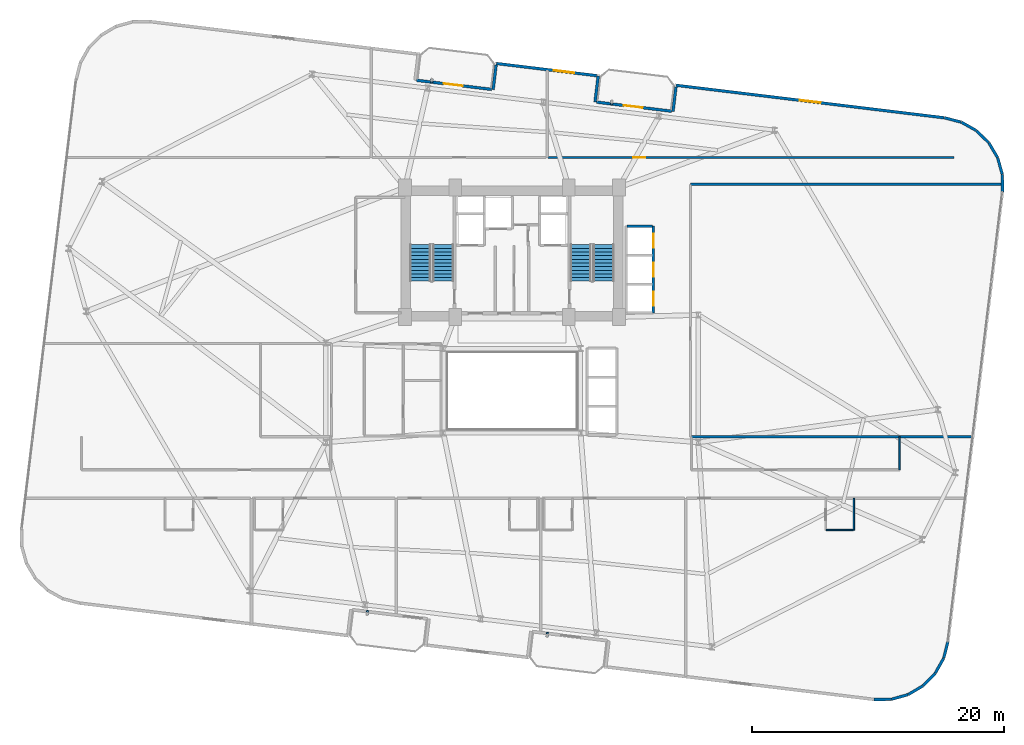
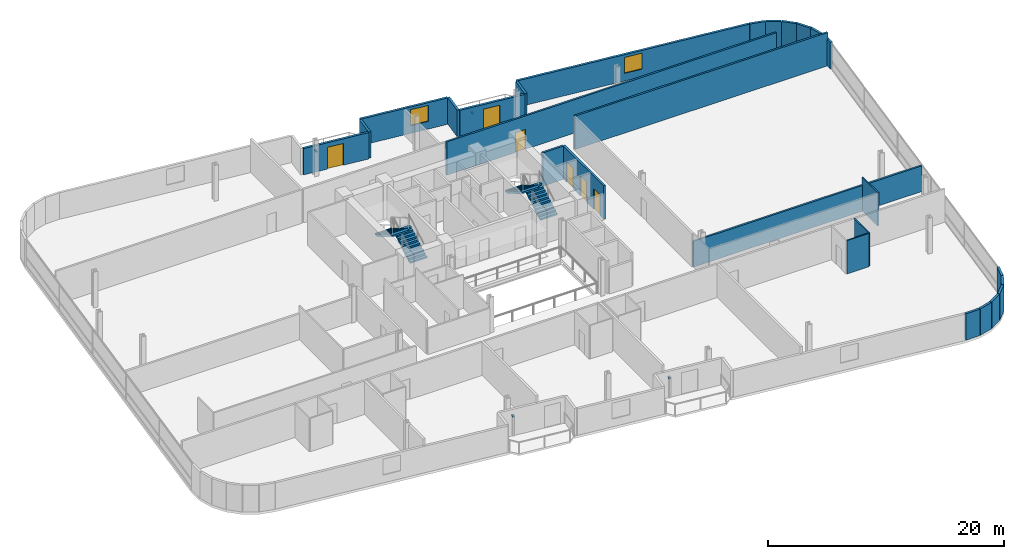
# One storey, part 23 of 25: 27 walls, 6 doors, 4 discrete accessories, 4 stair flights, 2 windows, 8 openings, 2 elements without a shape of their own.
"""IFC4 building model written with IfcOpenShell, lengths in metres."""

from ifc_helpers import new_model, si_unit, direction, frame, frame_2d, origin, origin_2d, place, context, subcontext, project, spatial, polyline, rectangle, outline, extrude, source, transform, mapped, material, layer, layer_set, type_object, element, fill, aggregate, save


model = new_model("IFC4")

# Units and contexts
model_context = context("Model", 3, precision=1e-05, world=origin(), true_north=direction((0.0, 1.0)))
body_context = subcontext(model_context, "Body", "Model", "MODEL_VIEW")
ifc_project = project(units=[si_unit("LENGTHUNIT", "METRE"), si_unit("AREAUNIT", "SQUARE_METRE"), si_unit("VOLUMEUNIT", "CUBIC_METRE"), si_unit("PLANEANGLEUNIT", "RADIAN"), si_unit("MASSUNIT", "GRAM", prefix="KILO")], contexts=[model_context])

# Site, building, storey
site_placement = place(None, origin())
site = spatial("IfcSite", under=ifc_project, at=site_placement, CompositionType="ELEMENT")
building_placement = place(site_placement, origin())
building = spatial("IfcBuilding", under=site, at=building_placement, Name="Varnelok Gate Tower", CompositionType="ELEMENT")
storey_placement = place(building_placement, frame((0.0, 0.0, 132.800048828125)))
storey = spatial("IfcBuildingStorey", under=building, at=storey_placement, Name="L33", CompositionType="ELEMENT", Elevation=132.800048828125)

# Wall, opening, door
ifc_material_1 = material(Name="Concrete C45/55", Category="concrete")
ifc_layer_1 = layer(ifc_material_1, 0.219970703125)
ifc_layer_set_1 = layer_set([ifc_layer_1], Name="Concrete C45/55")
wall_type_1 = type_object("IfcWallType", Name="EW-BALC-220", PredefinedType="SOLIDWALL", material=ifc_layer_set_1)
wall_1_placement = place(storey_placement, frame((31.624267578125, 47.5634765625, 0.0), z_axis=(0.0, 0.0, 1.0), x_axis=(0.992729951822, -0.120362962556, 0.0)))
wall_1 = element("IfcWall", 1, at=wall_1_placement, inside=storey, type_object=wall_type_1, Name="L33 North Terrace Envelope Wall 3", PredefinedType="SOLIDWALL", context=body_context, shape_type="SweptSolid", body=[
    extrude(rectangle(XDim=6.0, YDim=0.219970703125, at=frame_2d((3.0, 0.0))), origin(), (0.0, 0.0, 1.0), 2.72998046875),
])
opening_1_placement = place(wall_1_placement, frame((2.176025390625, 0.0, 0.0)))
opening_1 = element("IfcOpeningElement", 2, at=opening_1_placement, cuts=wall_1, Name="Opening BD-1", PredefinedType="OPENING", context=body_context, shape_type="SweptSolid", body=[
    extrude(rectangle(XDim=1.5, YDim=2.25, at=frame_2d((0.75, 1.125))), frame((0.0, 0.119873046875, 0.0), z_axis=(0.0, -1.0, 0.0), x_axis=(1.0, 0.0, 0.0)), (0.0, 0.0, 1.0), 0.239990234375),
])
ifc_material_2 = material(Name="Anodized Aluminum Alloy 6063-T6", Category="aluminium")
door_type_1 = type_object("IfcDoorType", Name="DR-EXT-BALC1500", OperationType="NOTDEFINED", PredefinedType="DOOR", material=ifc_material_2)
door_1_placement = place(opening_1_placement, origin())
door_1 = element("IfcDoor", 3, at=door_1_placement, inside=storey, type_object=door_type_1, Name="L33 North Balcony Glazed Door 3", OperationType="SINGLE_SWING_RIGHT", OverallHeight=2.25, OverallWidth=1.5, PredefinedType="DOOR", context=body_context, shape_type="SweptSolid", body=[
    extrude(rectangle(XDim=1.5, YDim=2.25, at=frame_2d((0.75, 1.125))), frame((0.0, 0.02490234375, 0.0), z_axis=(0.0, -1.0, 0.0), x_axis=(1.0, 0.0, 0.0)), (0.0, 0.0, 1.0), 0.050048828125),
])
fill(opening_1, door_1)

wall_2_placement = place(storey_placement, frame((45.919677734375, 45.83056640625, 0.0), z_axis=(0.0, 0.0, 1.0), x_axis=(0.992729951822, -0.120362962556, 0.0)))
wall_2 = element("IfcWall", 4, at=wall_2_placement, inside=storey, type_object=wall_type_1, Name="L33 North Terrace Envelope Wall 4", PredefinedType="SOLIDWALL", context=body_context, shape_type="SweptSolid", body=[
    extrude(rectangle(XDim=6.0, YDim=0.219970703125, at=frame_2d((3.0, 0.0))), origin(), (0.0, 0.0, 1.0), 2.72998046875),
])
opening_2_placement = place(wall_2_placement, frame((2.176025390625, 0.0, 0.0)))
opening_2 = element("IfcOpeningElement", 5, at=opening_2_placement, cuts=wall_2, Name="Opening BD-1", PredefinedType="OPENING", context=body_context, shape_type="SweptSolid", body=[
    extrude(rectangle(XDim=1.5, YDim=2.25, at=frame_2d((0.75, 1.125))), frame((0.0, 0.119873046875, 0.0), z_axis=(0.0, -1.0, 0.0), x_axis=(1.0, 0.0, 0.0)), (0.0, 0.0, 1.0), 0.239990234375),
])
door_2_placement = place(opening_2_placement, origin())
door_2 = element("IfcDoor", 6, at=door_2_placement, inside=storey, type_object=door_type_1, Name="L33 North Balcony Glazed Door 4", OperationType="SINGLE_SWING_LEFT", OverallHeight=2.25, OverallWidth=1.5, PredefinedType="DOOR", context=body_context, shape_type="SweptSolid", body=[
    extrude(rectangle(XDim=1.5, YDim=2.25, at=frame_2d((0.75, 1.125))), frame((0.0, 0.02490234375, 0.0), z_axis=(0.0, -1.0, 0.0), x_axis=(1.0, 0.0, 0.0)), (0.0, 0.0, 1.0), 0.050048828125),
])
fill(opening_2, door_2)

# Walls
wall_3_placement = place(storey_placement, frame((67.984375, -1.63671875, 0.0), z_axis=(0.0, 0.0, 1.0), x_axis=(0.999945887077, 0.010403024475, 0.0)))
element("IfcWall", 7, at=wall_3_placement, inside=storey, type_object=wall_type_1, Name="L33 Perimeter Facade Closure Wall 14", PredefinedType="SOLIDWALL", context=body_context, shape_type="SweptSolid", body=[
    extrude(rectangle(XDim=1.361083984375, YDim=0.219970703125, at=frame_2d((0.6806640625, 0.0))), origin(), (0.0, 0.0, 1.0), 2.72998046875),
])
wall_4_placement = place(storey_placement, frame((69.369384765625, -1.615966796875, 0.0), z_axis=(0.0, 0.0, 1.0), x_axis=(0.963194128812, 0.268806752562, 0.0)))
element("IfcWall", 8, at=wall_4_placement, inside=storey, type_object=wall_type_1, Name="L33 Perimeter Facade Closure Wall 15", PredefinedType="SOLIDWALL", context=body_context, shape_type="SweptSolid", body=[
    extrude(rectangle(XDim=1.353271484375, YDim=0.219970703125, at=frame_2d((0.6767578125, 0.0))), origin(), (0.0, 0.0, 1.0), 2.72998046875),
])
for number, where, z_axis, x_axis, name in (
    (9, (70.6943359375, -1.239501953125, 0.0), (0.0, 0.0, 1.0), (0.860865455241, 0.508832652228, 0.0), "L33 Perimeter Facade Closure Wall 16"),
    (10, (71.876708984375, -0.533203125, 0.0), (0.0, 0.0, 1.0), (0.69976104234, 0.714376989847, 0.0), "L33 Perimeter Facade Closure Wall 17"),
    (11, (72.835693359375, 0.455078125, 0.0), (0.0, 0.0, 1.0), (0.491117621399, 0.871093268227, 0.0), "L33 Perimeter Facade Closure Wall 18"),
):
    element("IfcWall", number, at=place(storey_placement, frame(where, z_axis=z_axis, x_axis=x_axis)), inside=storey, type_object=wall_type_1, Name=name, PredefinedType="SOLIDWALL", context=body_context, shape_type="SweptSolid", body=[
        extrude(rectangle(XDim=1.35302734375, YDim=0.219970703125, at=frame_2d((0.676513671875, 0.0))), origin(), (0.0, 0.0, 1.0), 2.72998046875),
    ])
wall_5_placement = place(storey_placement, frame((73.506591796875, 1.658203125, 0.0), z_axis=(0.0, 0.0, 1.0), x_axis=(0.248857256909, 0.968540172468, 0.0)))
element("IfcWall", 12, at=wall_5_placement, inside=storey, type_object=wall_type_1, Name="L33 Perimeter Facade Closure Wall 19", PredefinedType="SOLIDWALL", context=body_context, shape_type="SweptSolid", body=[
    extrude(rectangle(XDim=1.352783203125, YDim=0.219970703125, at=frame_2d((0.67626953125, 0.0))), origin(), (0.0, 0.0, 1.0), 2.72998046875),
])
wall_6_placement = place(storey_placement, frame((78.175537109375, 38.706787109375, 0.0), z_axis=(0.0, 0.0, 1.0), x_axis=(-0.010096916637, 0.999949024838, 0.0)))
element("IfcWall", 13, at=wall_6_placement, inside=storey, type_object=wall_type_1, Name="L33 Perimeter Facade Closure Wall 20", PredefinedType="SOLIDWALL", context=body_context, shape_type="SweptSolid", body=[
    extrude(rectangle(XDim=1.378173828125, YDim=0.219970703125, at=frame_2d((0.68896484375, 0.0))), origin(), (0.0, 0.0, 1.0), 2.72998046875),
])
wall_7_placement = place(storey_placement, frame((78.15478515625, 40.10888671875, 0.0), z_axis=(0.0, 0.0, 1.0), x_axis=(-0.268639368869, 0.963240826322, 0.0)))
element("IfcWall", 14, at=wall_7_placement, inside=storey, type_object=wall_type_1, Name="L33 Perimeter Facade Closure Wall 21", PredefinedType="SOLIDWALL", context=body_context, shape_type="SweptSolid", body=[
    extrude(rectangle(XDim=1.353271484375, YDim=0.219970703125, at=frame_2d((0.6767578125, 0.0))), origin(), (0.0, 0.0, 1.0), 2.72998046875),
])
for number, where, z_axis, x_axis, name in (
    (15, (77.7783203125, 41.433837890625, 0.0), (0.0, 0.0, 1.0), (-0.508698913794, 0.860944490142, 0.0), "L33 Perimeter Facade Closure Wall 22"),
    (16, (77.072265625, 42.6162109375, 0.0), (0.0, 0.0, 1.0), (-0.714376989847, 0.69976104234, 0.0), "L33 Perimeter Facade Closure Wall 23"),
    (17, (76.083740234375, 43.5751953125, 0.0), (0.0, 0.0, 1.0), (-0.871093268227, 0.491117621399, 0.0), "L33 Perimeter Facade Closure Wall 24"),
):
    element("IfcWall", number, at=place(storey_placement, frame(where, z_axis=z_axis, x_axis=x_axis)), inside=storey, type_object=wall_type_1, Name=name, PredefinedType="SOLIDWALL", context=body_context, shape_type="SweptSolid", body=[
        extrude(rectangle(XDim=1.35302734375, YDim=0.219970703125, at=frame_2d((0.676513671875, 0.0))), origin(), (0.0, 0.0, 1.0), 2.72998046875),
    ])
wall_8_placement = place(storey_placement, frame((74.880859375, 44.24609375, 0.0), z_axis=(0.0, 0.0, 1.0), x_axis=(-0.968549775063, 0.248819881091, 0.0)))
element("IfcWall", 18, at=wall_8_placement, inside=storey, type_object=wall_type_1, Name="L33 Perimeter Facade Closure Wall 25", PredefinedType="SOLIDWALL", context=body_context, shape_type="SweptSolid", body=[
    extrude(rectangle(XDim=1.36083984375, YDim=0.219970703125, at=frame_2d((0.680419921875, 0.0))), origin(), (0.0, 0.0, 1.0), 2.72998046875),
])

# Wall, opening, window
wall_9_placement = place(storey_placement, frame((73.537841796875, 44.587890625, 0.0), z_axis=(0.0, 0.0, 1.0), x_axis=(-0.992733493583, 0.120333747213, 0.0)))
wall_9 = element("IfcWall", 19, at=wall_9_placement, inside=storey, type_object=wall_type_1, Name="L33 Perimeter Facade Closure Wall 26", PredefinedType="SOLIDWALL", context=body_context, shape_type="SweptSolid", body=[
    extrude(rectangle(XDim=21.447021484375, YDim=0.219970703125, at=frame_2d((10.7236328125, 0.0))), origin(), (0.0, 0.0, 1.0), 2.72998046875),
])
opening_3_placement = place(wall_9_placement, frame((9.898681640625, 0.0, 0.800048828125)))
opening_3 = element("IfcOpeningElement", 20, at=opening_3_placement, cuts=wall_9, Name="Opening WN3", PredefinedType="OPENING", context=body_context, shape_type="SweptSolid", body=[
    extrude(rectangle(XDim=1.64990234375, YDim=1.64990234375, at=frame_2d((0.824951171875, 0.824951171875))), frame((0.0, 0.119873046875, 0.0), z_axis=(0.0, -1.0, 0.0), x_axis=(1.0, 0.0, 0.0)), (0.0, 0.0, 1.0), 0.239990234375),
])
ifc_material_3 = material(Name="Low-E Laminated Double Glazing IGU", Category="glass")
window_type = type_object("IfcWindowType", Name="WN-HTL-1650", PartitioningType="SINGLE_PANEL", PredefinedType="WINDOW", material=ifc_material_3)
window_1_placement = place(opening_3_placement, origin())
window_1 = element("IfcWindow", 21, at=window_1_placement, inside=storey, type_object=window_type, Name="L33 Perimeter Vision Window 26", OverallHeight=1.64990234375, OverallWidth=1.64990234375, PartitioningType="SINGLE_PANEL", PredefinedType="WINDOW", context=body_context, shape_type="SweptSolid", body=[
    extrude(rectangle(XDim=1.64990234375, YDim=1.64990234375, at=frame_2d((0.824951171875, 0.824951171875))), frame((0.0, 0.030029296875, 0.0), z_axis=(0.0, -1.0, 0.0), x_axis=(1.0, 0.0, 0.0)), (0.0, 0.0, 1.0), 0.06005859375),
])
fill(opening_3, window_1)

# Walls
wall_10_placement = place(storey_placement, frame((52.2314453125, 47.044677734375, 0.0), z_axis=(0.0, 0.0, 1.0), x_axis=(-0.120275992932, -0.992740492538, 0.0)))
element("IfcWall", 22, at=wall_10_placement, inside=storey, type_object=wall_type_1, Name="L33 Perimeter Facade Closure Wall 27", PredefinedType="SOLIDWALL", context=body_context, shape_type="SweptSolid", body=[
    extrude(rectangle(XDim=1.97509765625, YDim=0.219970703125, at=frame_2d((0.987548828125, 0.0))), origin(), (0.0, 0.0, 1.0), 2.72998046875),
])
wall_11_placement = place(storey_placement, frame((45.79931640625, 45.8349609375, 0.0), z_axis=(0.0, 0.0, 1.0), x_axis=(0.120314009587, 0.992735885871, 0.0)))
element("IfcWall", 23, at=wall_11_placement, inside=storey, type_object=wall_type_1, Name="L33 Perimeter Facade Closure Wall 28", PredefinedType="SOLIDWALL", context=body_context, shape_type="SweptSolid", body=[
    extrude(rectangle(XDim=2.10009765625, YDim=0.219970703125, at=frame_2d((1.050048828125, 0.0))), origin(), (0.0, 0.0, 1.0), 2.72998046875),
])

# Wall, opening, window
wall_12_placement = place(storey_placement, frame((45.927734375, 47.934814453125, 0.0), z_axis=(0.0, 0.0, 1.0), x_axis=(-0.992730591876, 0.120357683402, 0.0)))
wall_12 = element("IfcWall", 24, at=wall_12_placement, inside=storey, type_object=wall_type_1, Name="L33 Perimeter Facade Closure Wall 29", PredefinedType="SOLIDWALL", context=body_context, shape_type="SweptSolid", body=[
    extrude(rectangle(XDim=8.03466796875, YDim=0.219970703125, at=frame_2d((4.017333984375, 0.0))), origin(), (0.0, 0.0, 1.0), 2.72998046875),
])
opening_4_placement = place(wall_12_placement, frame((1.787841796875, 0.0, 0.800048828125)))
opening_4 = element("IfcOpeningElement", 25, at=opening_4_placement, cuts=wall_12, Name="Opening WN3", PredefinedType="OPENING", context=body_context, shape_type="SweptSolid", body=[
    extrude(rectangle(XDim=1.64990234375, YDim=1.64990234375, at=frame_2d((0.824951171875, 0.824951171875))), frame((0.0, 0.119873046875, 0.0), z_axis=(0.0, -1.0, 0.0), x_axis=(1.0, 0.0, 0.0)), (0.0, 0.0, 1.0), 0.239990234375),
])
window_2_placement = place(opening_4_placement, origin())
window_2 = element("IfcWindow", 26, at=window_2_placement, inside=storey, type_object=window_type, Name="L33 Perimeter Vision Window 29", OverallHeight=1.64990234375, OverallWidth=1.64990234375, PartitioningType="SINGLE_PANEL", PredefinedType="WINDOW", context=body_context, shape_type="SweptSolid", body=[
    extrude(rectangle(XDim=1.64990234375, YDim=1.64990234375, at=frame_2d((0.824951171875, 0.824951171875))), frame((0.0, 0.030029296875, 0.0), z_axis=(0.0, -1.0, 0.0), x_axis=(1.0, 0.0, 0.0)), (0.0, 0.0, 1.0), 0.06005859375),
])
fill(opening_4, window_2)

# Wall
wall_13_placement = place(storey_placement, frame((37.936279296875, 48.777587890625, 0.0), z_axis=(0.0, 0.0, 1.0), x_axis=(-0.120397815541, -0.992725725472, 0.0)))
element("IfcWall", 27, at=wall_13_placement, inside=storey, type_object=wall_type_1, Name="L33 Perimeter Facade Closure Wall 30", PredefinedType="SOLIDWALL", context=body_context, shape_type="SweptSolid", body=[
    extrude(rectangle(XDim=1.97509765625, YDim=0.219970703125, at=frame_2d((0.987548828125, 0.0))), origin(), (0.0, 0.0, 1.0), 2.72998046875),
])

# Wall, opening, door
ifc_material_4 = material(Name="Gypsum Plasterboard Acoustic Partition", Category="gypsum")
ifc_layer_2 = layer(ifc_material_4, 0.179931640625)
ifc_layer_set_2 = layer_set([ifc_layer_2], Name="Gypsum Plasterboard Acoustic Partition")
wall_type_2 = type_object("IfcWallType", Name="PW-CORR-180", PredefinedType="PARTITIONING", material=ifc_layer_set_2)
wall_14_placement = place(storey_placement, frame((42.080078125, 41.429931640625, 0.0), z_axis=(0.0, 0.0, 1.0), x_axis=(1.0, 0.0, 0.0)))
wall_14 = element("IfcWall", 28, at=wall_14_placement, inside=storey, type_object=wall_type_2, Name="Interior Partition", PredefinedType="PARTITIONING", context=body_context, shape_type="SweptSolid", body=[
    extrude(rectangle(XDim=32.239990234375, YDim=0.179931640625, at=frame_2d((16.1201171875, 0.0))), origin(), (0.0, 0.0, 1.0), 3.449951171875),
])
opening_5_placement = place(wall_14_placement, frame((6.7451171875, 0.0, 0.0)))
opening_5 = element("IfcOpeningElement", 29, at=opening_5_placement, cuts=wall_14, Name="Opening D-I2", PredefinedType="OPENING", context=body_context, shape_type="SweptSolid", body=[
    extrude(rectangle(XDim=0.949951171875, YDim=2.050048828125, at=frame_2d((0.47509765625, 1.02490234375))), frame((0.0, 0.099853515625, 0.0), z_axis=(0.0, -1.0, 0.0), x_axis=(1.0, 0.0, 0.0)), (0.0, 0.0, 1.0), 0.199951171875),
])
ifc_material_5 = material(Name="Engineered Hardwood Timber", Category="wood")
door_type_2 = type_object("IfcDoorType", Name="DR-INT-950", OperationType="NOTDEFINED", PredefinedType="DOOR", material=ifc_material_5)
door_3_placement = place(opening_5_placement, origin())
door_3 = element("IfcDoor", 30, at=door_3_placement, inside=storey, type_object=door_type_2, Name="L33 Hotel Business Center Door", OperationType="SINGLE_SWING_LEFT", OverallHeight=2.050048828125, OverallWidth=0.949951171875, PredefinedType="DOOR", context=body_context, shape_type="SweptSolid", body=[
    extrude(rectangle(XDim=0.949951171875, YDim=2.050048828125, at=frame_2d((0.47509765625, 1.02490234375))), frame((0.0, 0.02490234375, 0.0), z_axis=(0.0, -1.0, 0.0), x_axis=(1.0, 0.0, 0.0)), (0.0, 0.0, 1.0), 0.050048828125),
])
fill(opening_5, door_3)

# Walls
wall_15_placement = place(storey_placement, frame((53.389892578125, 19.239990234375, 0.0), z_axis=(0.0, 0.0, 1.0), x_axis=(1.0, 0.0, 0.0)))
element("IfcWall", 31, at=wall_15_placement, inside=storey, type_object=wall_type_2, Name="Interior Partition", PredefinedType="PARTITIONING", context=body_context, shape_type="SweptSolid", body=[
    extrude(rectangle(XDim=22.36669921875, YDim=0.179931640625, at=frame_2d((11.183349609375, 0.0))), origin(), (0.0, 0.0, 1.0), 2.661865234375),
])
wall_16_placement = place(storey_placement, frame((53.389892578125, 39.300048828125, 0.0), z_axis=(0.0, 0.0, 1.0), x_axis=(1.0, 0.0, 0.0)))
element("IfcWall", 32, at=wall_16_placement, inside=storey, type_object=wall_type_2, Name="Interior Partition", PredefinedType="PARTITIONING", context=body_context, shape_type="SweptSolid", body=[
    extrude(rectangle(XDim=24.73974609375, YDim=0.179931640625, at=frame_2d((12.369873046875, 0.0))), origin(), (0.0, 0.0, 1.0), 3.449951171875),
])
ifc_layer_3 = layer(ifc_material_4, 0.114990234375)
ifc_layer_set_3 = layer_set([ifc_layer_3], Name="Gypsum Plasterboard Acoustic Partition")
wall_type_3 = type_object("IfcWallType", Name="PW-ENS-125", PredefinedType="PARTITIONING", material=ifc_layer_set_3)
wall_17_placement = place(storey_placement, frame((64.169921875, 11.830078125, 0.0), z_axis=(0.0, 0.0, 1.0), x_axis=(1.0, 0.0, 0.0)))
element("IfcWall", 33, at=wall_17_placement, inside=storey, type_object=wall_type_3, Name="Interior Partition", PredefinedType="PARTITIONING", context=body_context, shape_type="SweptSolid", body=[
    extrude(rectangle(XDim=2.150146484375, YDim=0.114990234375, at=frame_2d((1.0751953125, 0.0))), origin(), (0.0, 0.0, 1.0), 3.449951171875),
])
wall_18_placement = place(storey_placement, frame((66.360107421875, 11.830078125, 0.0), z_axis=(0.0, 0.0, 1.0), x_axis=(0.0, 1.0, 0.0)))
element("IfcWall", 34, at=wall_18_placement, inside=storey, type_object=wall_type_3, Name="Interior Partition", PredefinedType="PARTITIONING", context=body_context, shape_type="SweptSolid", body=[
    extrude(rectangle(XDim=2.52001953125, YDim=0.114990234375, at=frame_2d((1.260009765625, 0.0))), origin(), (0.0, 0.0, 1.0), 3.449951171875),
])
ifc_layer_4 = layer(ifc_material_4, 0.125)
ifc_layer_set_4 = layer_set([ifc_layer_4], Name="Gypsum Plasterboard Acoustic Partition")
wall_type_4 = type_object("IfcWallType", Name="PW-PART-125", PredefinedType="PARTITIONING", material=ifc_layer_set_4)
wall_19_placement = place(storey_placement, frame((70.0, 16.610107421875, 0.0), z_axis=(0.0, 0.0, 1.0), x_axis=(0.0, 1.0, 0.0)))
element("IfcWall", 35, at=wall_19_placement, inside=storey, type_object=wall_type_4, Name="Interior Partition", PredefinedType="PARTITIONING", context=body_context, shape_type="SweptSolid", body=[
    extrude(rectangle(XDim=2.6298828125, YDim=0.125, at=frame_2d((1.31494140625, 0.0))), origin(), (0.0, 0.0, 1.0), 3.449951171875),
])
ifc_material_6 = material(Name="Concrete C35/45", Category="concrete")
ifc_layer_5 = layer(ifc_material_6, 0.199951171875)
ifc_layer_set_5 = layer_set([ifc_layer_5], Name="Concrete C35/45")
wall_type_5 = type_object("IfcWallType", Name="PW-SHAFT-200", PredefinedType="PARTITIONING", material=ifc_layer_set_5)
wall_20_placement = place(storey_placement, frame((48.320068359375, 35.969970703125, 0.0), z_axis=(0.0, 0.0, 1.0), x_axis=(1.0, 0.0, 0.0)))
element("IfcWall", 36, at=wall_20_placement, inside=storey, type_object=wall_type_5, Name="L33 PM Bank North Wall", PredefinedType="PARTITIONING", context=body_context, shape_type="SweptSolid", body=[
    extrude(rectangle(XDim=2.059814453125, YDim=0.199951171875, at=frame_2d((1.02978515625, 0.0))), origin(), (0.0, 0.0, 1.0), 3.449951171875),
])

# Wall, openings, doors
wall_21_placement = place(storey_placement, frame((50.43994140625, 29.080078125, 0.0), z_axis=(0.0, 0.0, 1.0), x_axis=(0.0, 1.0, 0.0)))
wall_21 = element("IfcWall", 37, at=wall_21_placement, inside=storey, type_object=wall_type_5, Name="L33 PM Bank Front Wall", PredefinedType="PARTITIONING", context=body_context, shape_type="SweptSolid", body=[
    extrude(rectangle(XDim=6.889892578125, YDim=0.199951171875, at=frame_2d((3.44482421875, 0.0))), origin(), (0.0, 0.0, 1.0), 3.449951171875),
])
opening_6_placement = place(wall_21_placement, frame((0.590087890625, 0.0, 0.0)))
opening_6 = element("IfcOpeningElement", 38, at=opening_6_placement, cuts=wall_21, Name="Opening LD-PM1", PredefinedType="OPENING", context=body_context, shape_type="SweptSolid", body=[
    extrude(rectangle(XDim=1.10009765625, YDim=2.14990234375, at=frame_2d((0.550048828125, 1.074951171875))), frame((0.0, 0.10986328125, 0.0), z_axis=(0.0, -1.0, 0.0), x_axis=(1.0, 0.0, 0.0)), (0.0, 0.0, 1.0), 0.219970703125),
])
opening_7_placement = place(wall_21_placement, frame((2.889892578125, 0.0, 0.0)))
opening_7 = element("IfcOpeningElement", 39, at=opening_7_placement, cuts=wall_21, Name="Opening LD-PM2", PredefinedType="OPENING", context=body_context, shape_type="SweptSolid", body=[
    extrude(rectangle(XDim=1.10009765625, YDim=2.14990234375, at=frame_2d((0.550048828125, 1.074951171875))), frame((0.0, 0.10986328125, 0.0), z_axis=(0.0, -1.0, 0.0), x_axis=(1.0, 0.0, 0.0)), (0.0, 0.0, 1.0), 0.219970703125),
])
opening_8_placement = place(wall_21_placement, frame((5.18994140625, 0.0, 0.0)))
opening_8 = element("IfcOpeningElement", 40, at=opening_8_placement, cuts=wall_21, Name="Opening LD-PM3", PredefinedType="OPENING", context=body_context, shape_type="SweptSolid", body=[
    extrude(rectangle(XDim=1.10009765625, YDim=2.14990234375, at=frame_2d((0.550048828125, 1.074951171875))), frame((0.0, 0.10986328125, 0.0), z_axis=(0.0, -1.0, 0.0), x_axis=(1.0, 0.0, 0.0)), (0.0, 0.0, 1.0), 0.219970703125),
])
ifc_material_7 = material(Name="Galvanized Steel Grade S350GD", Category="steel")
door_type_3 = type_object("IfcDoorType", Name="DR-LIFT-PAX1100", OperationType="SLIDING_TO_LEFT", PredefinedType="DOOR", material=ifc_material_7)
door_4_placement = place(opening_6_placement, origin())
door_4 = element("IfcDoor", 41, at=door_4_placement, inside=storey, type_object=door_type_3, Name="L33 Passenger Lift Landing Door LD-PM1", OperationType="SLIDING_TO_LEFT", OverallHeight=2.14990234375, OverallWidth=1.10009765625, PredefinedType="DOOR", context=body_context, shape_type="SweptSolid", body=[
    extrude(rectangle(XDim=1.10009765625, YDim=2.14990234375, at=frame_2d((0.550048828125, 1.074951171875))), frame((0.0, 0.02490234375, 0.0), z_axis=(0.0, -1.0, 0.0), x_axis=(1.0, 0.0, 0.0)), (0.0, 0.0, 1.0), 0.050048828125),
])
fill(opening_6, door_4)
door_5_placement = place(opening_7_placement, origin())
door_5 = element("IfcDoor", 42, at=door_5_placement, inside=storey, type_object=door_type_3, Name="L33 Passenger Lift Landing Door LD-PM2", OperationType="SLIDING_TO_LEFT", OverallHeight=2.14990234375, OverallWidth=1.10009765625, PredefinedType="DOOR", context=body_context, shape_type="SweptSolid", body=[
    extrude(rectangle(XDim=1.10009765625, YDim=2.14990234375, at=frame_2d((0.550048828125, 1.074951171875))), frame((0.0, 0.02490234375, 0.0), z_axis=(0.0, -1.0, 0.0), x_axis=(1.0, 0.0, 0.0)), (0.0, 0.0, 1.0), 0.050048828125),
])
fill(opening_7, door_5)
door_6_placement = place(opening_8_placement, origin())
door_6 = element("IfcDoor", 43, at=door_6_placement, inside=storey, type_object=door_type_3, Name="L33 Passenger Lift Landing Door LD-PM3", OperationType="SLIDING_TO_LEFT", OverallHeight=2.14990234375, OverallWidth=1.10009765625, PredefinedType="DOOR", context=body_context, shape_type="SweptSolid", body=[
    extrude(rectangle(XDim=1.10009765625, YDim=2.14990234375, at=frame_2d((0.550048828125, 1.074951171875))), frame((0.0, 0.02490234375, 0.0), z_axis=(0.0, -1.0, 0.0), x_axis=(1.0, 0.0, 0.0)), (0.0, 0.0, 1.0), 0.050048828125),
])
fill(opening_8, door_6)

# Stair, stair flights
ifc_material_8 = material(Name="Concrete C50/60", Category="concrete")
stair_type = type_object("IfcStairType", Name="STR-CORE-1650", PredefinedType="HALF_TURN_STAIR", material=ifc_material_8)
stair_1_placement = place(storey_placement, origin())
stair_1 = element("IfcStair", 44, at=stair_1_placement, inside=storey, type_object=stair_type, Name="L33 Exit Stair ST-1", PredefinedType="HALF_TURN_STAIR")
stair_flight_type = type_object("IfcStairFlightType", Name="SFL-CORE-1650", PredefinedType="STRAIGHT", material=ifc_material_8)
stair_flight_1_placement = place(storey_placement, frame((33.72509765625, 31.60009765625, 0.0), z_axis=(0.0, 0.0, 1.0), x_axis=(0.0, 1.0, 0.0)))
stair_flight_1 = element("IfcStairFlight", 45, at=stair_flight_1_placement, type_object=stair_flight_type, Name="ST-1 flight 1", NumberOfRisers=11, NumberOfTreads=10, PredefinedType="STRAIGHT", RiserHeight=0.168181818, TreadLength=0.29, context=body_context, shape_type="SweptSolid", body=[
    extrude(outline(polyline([(0.0, 0.0), (0.0, 0.168212890625), (0.2900390625, 0.168212890625), (0.2900390625, 0.33642578125), (0.580078125, 0.33642578125), (0.580078125, 0.504638671875), (0.8701171875, 0.504638671875), (0.8701171875, 0.672607421875), (1.159912109375, 0.672607421875), (1.159912109375, 0.8408203125), (1.449951171875, 0.8408203125), (1.449951171875, 1.009033203125), (1.739990234375, 1.009033203125), (1.739990234375, 1.17724609375), (2.030029296875, 1.17724609375), (2.030029296875, 1.345458984375), (2.320068359375, 1.345458984375), (2.320068359375, 1.513671875), (2.610107421875, 1.513671875), (2.610107421875, 1.681884765625), (2.89990234375, 1.681884765625), (2.89990234375, 1.85009765625), (2.89990234375, 1.508544921875), (0.298828125, 0.0), (0.0, 0.0)])), frame((0.0, 0.824951171875, 0.0), z_axis=(0.0, -1.0, 0.0), x_axis=(1.0, 0.0, 0.0)), (0.0, 0.0, 1.0), 1.64990234375),
])
stair_flight_2_placement = place(storey_placement, frame((31.925048828125, 34.5, 1.849853515625), z_axis=(0.0, 0.0, 1.0), x_axis=(0.0, -1.0, 0.0)))
stair_flight_2 = element("IfcStairFlight", 46, at=stair_flight_2_placement, type_object=stair_flight_type, Name="ST-1 flight 2", NumberOfRisers=11, NumberOfTreads=10, PredefinedType="STRAIGHT", RiserHeight=0.168181818, TreadLength=0.29, context=body_context, shape_type="SweptSolid", body=[
    extrude(outline(polyline([(0.0, 0.0), (0.0, 0.168212890625), (0.2900390625, 0.168212890625), (0.2900390625, 0.33642578125), (0.580078125, 0.33642578125), (0.580078125, 0.504638671875), (0.8701171875, 0.504638671875), (0.8701171875, 0.672607421875), (1.159912109375, 0.672607421875), (1.159912109375, 0.8408203125), (1.449951171875, 0.8408203125), (1.449951171875, 1.009033203125), (1.739990234375, 1.009033203125), (1.739990234375, 1.17724609375), (2.030029296875, 1.17724609375), (2.030029296875, 1.345458984375), (2.320068359375, 1.345458984375), (2.320068359375, 1.513671875), (2.610107421875, 1.513671875), (2.610107421875, 1.681884765625), (2.89990234375, 1.681884765625), (2.89990234375, 1.85009765625), (2.89990234375, 1.508544921875), (0.298828125, 0.0), (0.0, 0.0)])), frame((0.0, 0.824951171875, 0.0), z_axis=(0.0, -1.0, 0.0), x_axis=(1.0, 0.0, 0.0)), (0.0, 0.0, 1.0), 1.64990234375),
])
aggregate(stair_1, [stair_flight_1, stair_flight_2])

stair_2_placement = place(storey_placement, origin())
stair_2 = element("IfcStair", 47, at=stair_2_placement, inside=storey, type_object=stair_type, Name="L33 Exit Stair ST-2", PredefinedType="HALF_TURN_STAIR")
stair_flight_3_placement = place(storey_placement, frame((46.47509765625, 31.60009765625, 0.0), z_axis=(0.0, 0.0, 1.0), x_axis=(0.0, 1.0, 0.0)))
stair_flight_3 = element("IfcStairFlight", 48, at=stair_flight_3_placement, type_object=stair_flight_type, Name="ST-2 flight 1", NumberOfRisers=11, NumberOfTreads=10, PredefinedType="STRAIGHT", RiserHeight=0.168181818, TreadLength=0.29, context=body_context, shape_type="SweptSolid", body=[
    extrude(outline(polyline([(0.0, 0.0), (0.0, 0.168212890625), (0.2900390625, 0.168212890625), (0.2900390625, 0.33642578125), (0.580078125, 0.33642578125), (0.580078125, 0.504638671875), (0.8701171875, 0.504638671875), (0.8701171875, 0.672607421875), (1.159912109375, 0.672607421875), (1.159912109375, 0.8408203125), (1.449951171875, 0.8408203125), (1.449951171875, 1.009033203125), (1.739990234375, 1.009033203125), (1.739990234375, 1.17724609375), (2.030029296875, 1.17724609375), (2.030029296875, 1.345458984375), (2.320068359375, 1.345458984375), (2.320068359375, 1.513671875), (2.610107421875, 1.513671875), (2.610107421875, 1.681884765625), (2.89990234375, 1.681884765625), (2.89990234375, 1.85009765625), (2.89990234375, 1.508544921875), (0.298828125, 0.0), (0.0, 0.0)])), frame((0.0, 0.824951171875, 0.0), z_axis=(0.0, -1.0, 0.0), x_axis=(1.0, 0.0, 0.0)), (0.0, 0.0, 1.0), 1.64990234375),
])
stair_flight_4_placement = place(storey_placement, frame((44.675048828125, 34.5, 1.849853515625), z_axis=(0.0, 0.0, 1.0), x_axis=(0.0, -1.0, 0.0)))
stair_flight_4 = element("IfcStairFlight", 49, at=stair_flight_4_placement, type_object=stair_flight_type, Name="ST-2 flight 2", NumberOfRisers=11, NumberOfTreads=10, PredefinedType="STRAIGHT", RiserHeight=0.168181818, TreadLength=0.29, context=body_context, shape_type="SweptSolid", body=[
    extrude(outline(polyline([(0.0, 0.0), (0.0, 0.168212890625), (0.2900390625, 0.168212890625), (0.2900390625, 0.33642578125), (0.580078125, 0.33642578125), (0.580078125, 0.504638671875), (0.8701171875, 0.504638671875), (0.8701171875, 0.672607421875), (1.159912109375, 0.672607421875), (1.159912109375, 0.8408203125), (1.449951171875, 0.8408203125), (1.449951171875, 1.009033203125), (1.739990234375, 1.009033203125), (1.739990234375, 1.17724609375), (2.030029296875, 1.17724609375), (2.030029296875, 1.345458984375), (2.320068359375, 1.345458984375), (2.320068359375, 1.513671875), (2.610107421875, 1.513671875), (2.610107421875, 1.681884765625), (2.89990234375, 1.681884765625), (2.89990234375, 1.85009765625), (2.89990234375, 1.508544921875), (0.298828125, 0.0), (0.0, 0.0)])), frame((0.0, 0.824951171875, 0.0), z_axis=(0.0, -1.0, 0.0), x_axis=(1.0, 0.0, 0.0)), (0.0, 0.0, 1.0), 1.64990234375),
])
aggregate(stair_2, [stair_flight_3, stair_flight_4])

# Discrete accessories
ifc_material_9 = material(Name="Structural Steel ASTM A500 Grade C", Category="steel")
discrete_accessory_type = type_object("IfcDiscreteAccessoryType", Name="ACC-BAGUETTE-BRK", PredefinedType="BRACKET", material=ifc_material_9)
shared_shape = source(origin(), body_context, "Body", "SweptSolid", [
    extrude(rectangle(XDim=0.159912109375, YDim=0.340087890625, at=origin_2d()), origin(), (0.0, 0.0, 1.0), 0.139892578125),
])
for number, where, z_axis, x_axis, name in (
    (50, (27.705810546875, 5.267578125, 1.97998046875), (0.0, 0.0, 1.0), (0.992732158755, -0.12034475881, 0.0), "L33 Terracotta Baguette Bracket 1.1"),
    (51, (42.0009765625, 3.53466796875, 1.97998046875), (0.0, 0.0, 1.0), (0.992732158755, -0.12034475881, 0.0), "L33 Terracotta Baguette Bracket 2.1"),
    (52, (32.8251953125, 47.49853515625, 1.97998046875), (0.0, 0.0, 1.0), (0.992732158755, -0.12034475881, 0.0), "L33 Terracotta Baguette Bracket 3.1"),
    (53, (47.12060546875, 45.765625, 1.97998046875), (0.0, 0.0, 1.0), (0.992732158755, -0.12034475881, 0.0), "L33 Terracotta Baguette Bracket 4.1"),
):
    element("IfcDiscreteAccessory", number, at=place(storey_placement, frame(where, z_axis=z_axis, x_axis=x_axis)), inside=storey, type_object=discrete_accessory_type, Name=name, PredefinedType="BRACKET", context=body_context, shape_type="MappedRepresentation", body=[
        mapped(shared_shape, transform((0.0, 0.0, 0.0), scale=1.0)),
    ])

save(model, "model.ifc")
